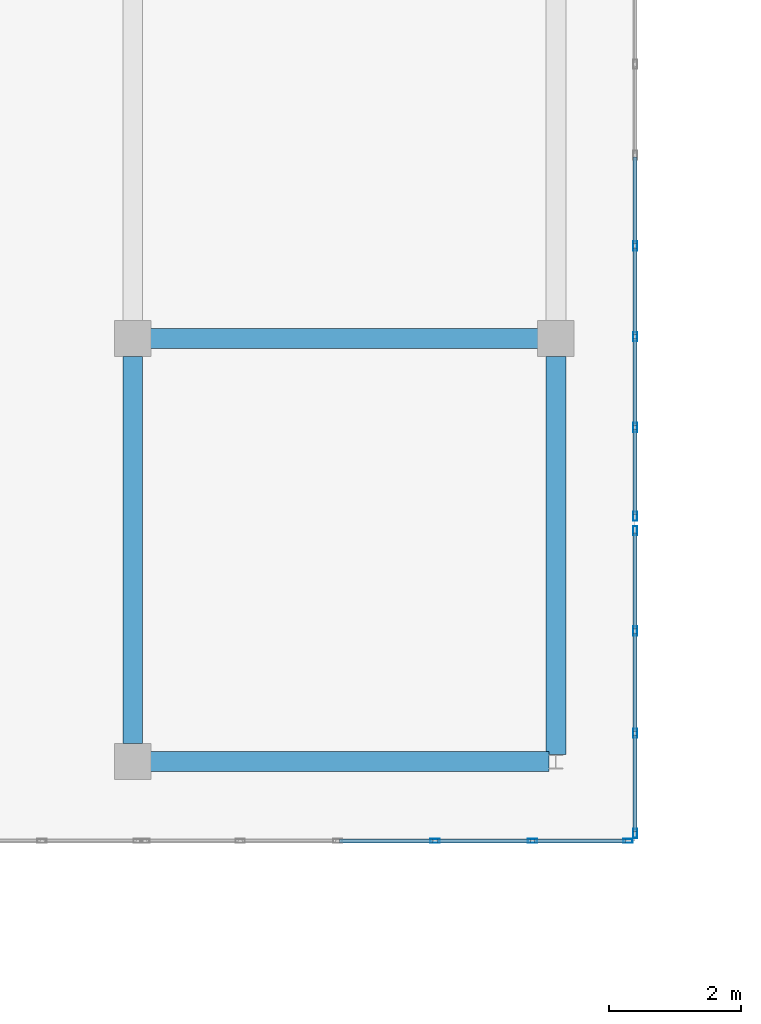
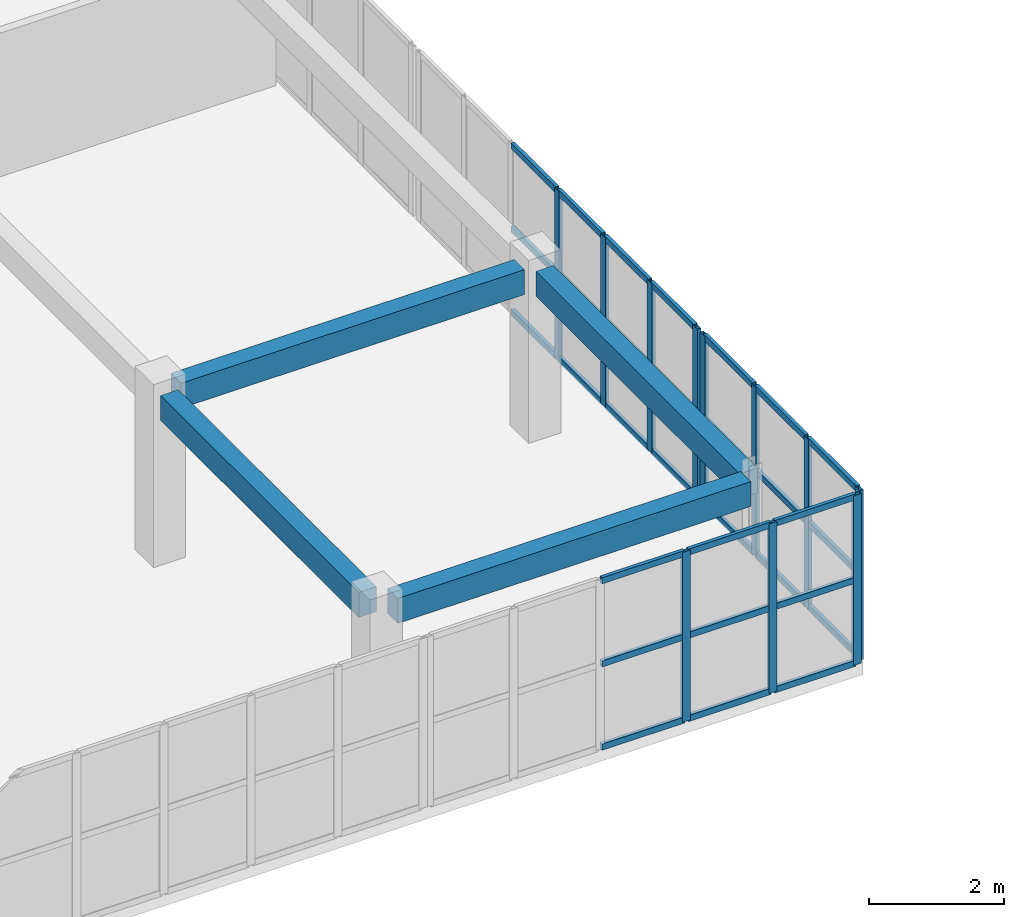
# One storey, part 45 of 148: 41 members, 4 beams, 3 elements without a shape of their own.
"""IFC4 building model written with IfcOpenShell, lengths in metres."""

import ifcopenshell
import ifcopenshell.guid

model = None  # the IFC model being written
_history = None  # IfcOwnerHistory: only IFC2X3 demands one
_inside = {}  # id of a spatial element -> (the spatial element, [elements in it])
_under = {}  # id of a project, library or spatial element -> (it, [spatial elements below it])
_declared = {}  # id of a project -> (the project, [libraries it declares])
_typed = {}  # id of a type object -> (the type object, [elements of that type])
_made_of = {}  # id of a material, layer set ... -> (it, [elements and type objects made of it])


def new_model(schema):
    """Start an empty IFC model of exactly this schema.

    Asked for "IFC4X3", IfcOpenShell would pick the latest addendum, in which some entities
    have other attributes; the version numbers below select the first issue.
    IFC2X3 requires an IfcOwnerHistory on every rooted entity: one is made here for all.
    """
    global model, _history
    if schema == "IFC4X3":
        model = ifcopenshell.file(schema_version=(4, 3, 0, 0))
    else:
        model = ifcopenshell.file(schema=schema)
    _inside.clear()
    _under.clear()
    _declared.clear()
    _typed.clear()
    _made_of.clear()
    _history = None
    if model.schema == "IFC2X3":
        org = make("IfcOrganization", Name="unknown")
        user = make(
            "IfcPersonAndOrganization",
            ThePerson=make("IfcPerson", FamilyName="unknown"),
            TheOrganization=org,
        )
        app = make(
            "IfcApplication",
            ApplicationDeveloper=org,
            Version="unknown",
            ApplicationFullName="unknown",
            ApplicationIdentifier="unknown",
        )
        _history = make(
            "IfcOwnerHistory",
            OwningUser=user,
            OwningApplication=app,
            ChangeAction="ADDED",
            CreationDate=0,
        )
    return model


def make(cls, **values):
    """One entity of the class cls with the attributes given. An attribute that is None is left unset."""
    return model.create_entity(
        cls, **{name: value for name, value in values.items() if value is not None}
    )


def rooted(cls, **values):
    """An entity with a GlobalId (a new one), such as an element, a storey or a relation."""
    return make(cls, GlobalId=ifcopenshell.guid.new(), OwnerHistory=_history, **values)


def si_unit(unit_type, name, prefix=None):
    """IfcSIUnit, for example si_unit("LENGTHUNIT", "METRE", prefix="MILLI")."""
    return make("IfcSIUnit", UnitType=unit_type, Prefix=prefix, Name=name)


def assignment(units):
    """IfcUnitAssignment: the units of a project."""
    return None if units is None else make("IfcUnitAssignment", Units=units)


def point(xyz):
    """IfcCartesianPoint."""
    return None if xyz is None else make("IfcCartesianPoint", Coordinates=xyz)


def direction(xyz):
    """IfcDirection."""
    return None if xyz is None else make("IfcDirection", DirectionRatios=xyz)


def frame(location, z_axis=None, x_axis=None):
    """IfcAxis2Placement3D, a coordinate frame: its origin and axes. An axis left out is left unset."""
    return make(
        "IfcAxis2Placement3D",
        Location=point(location),
        Axis=direction(z_axis),
        RefDirection=direction(x_axis),
    )


def frame_2d(location, x_axis=None):
    """IfcAxis2Placement2D, a coordinate frame in the plane: its origin and x axis."""
    return make(
        "IfcAxis2Placement2D", Location=point(location), RefDirection=direction(x_axis)
    )


def origin():
    """The frame at (0, 0, 0) with its axes left unset."""
    return frame((0.0, 0.0, 0.0))


def origin_2d():
    """The frame at (0, 0) in the plane with its x axis left unset."""
    return frame_2d((0.0, 0.0))


def place(relative_to, where):
    """IfcLocalPlacement: puts the frame where relative to a parent placement (None: the world)."""
    return make(
        "IfcLocalPlacement", PlacementRelTo=relative_to, RelativePlacement=where
    )


def context(
    kind, dimensions, precision=None, world=None, true_north=None, identifier=None
):
    """IfcGeometricRepresentationContext, for example the 3D "Model" context."""
    return make(
        "IfcGeometricRepresentationContext",
        ContextIdentifier=identifier,
        ContextType=kind,
        CoordinateSpaceDimension=dimensions,
        Precision=precision,
        WorldCoordinateSystem=world,
        TrueNorth=true_north,
    )


def subcontext(parent, identifier, kind, view, scale=None):
    """IfcGeometricRepresentationSubContext, for example "Body" below "Model"."""
    return make(
        "IfcGeometricRepresentationSubContext",
        ContextIdentifier=identifier,
        ContextType=kind,
        ParentContext=parent,
        TargetScale=scale,
        TargetView=view,
    )


def project(units=None, contexts=None):
    """IfcProject with its units and contexts."""
    return rooted(
        "IfcProject",
        Name="project",
        RepresentationContexts=contexts,
        UnitsInContext=assignment(units),
    )


def spatial(cls, under=None, at=None, **own):
    """A site, building, storey or space (cls), placed at a placement, below another one or the project."""
    s = rooted(cls, ObjectPlacement=at, **own)
    if under is not None:
        _under.setdefault(under.id(), (under, []))[1].append(s)
    return s


def profile(cls, at=None, kind="AREA", **sizes):
    """A parametric profile (cls). Its sizes go by their IFC names, for example OverallWidth=200.0."""
    return make(cls, ProfileType=kind, Position=at, **sizes)


def rectangle(**sizes):
    """IfcRectangleProfileDef."""
    return profile("IfcRectangleProfileDef", **sizes)


def hollow_rectangle(**sizes):
    """IfcRectangleHollowProfileDef."""
    return profile("IfcRectangleHollowProfileDef", **sizes)


def extrude(swept, where, along, depth):
    """IfcExtrudedAreaSolid: the profile swept, set in the frame where, extruded along a direction by depth."""
    return make(
        "IfcExtrudedAreaSolid",
        SweptArea=swept,
        Position=where,
        ExtrudedDirection=direction(along),
        Depth=depth,
    )


def shape(context_of_items, identifier, shape_type, items):
    """IfcShapeRepresentation: the items that make up one representation, for example the "Body"."""
    return make(
        "IfcShapeRepresentation",
        ContextOfItems=context_of_items,
        RepresentationIdentifier=identifier,
        RepresentationType=shape_type,
        Items=items,
    )


def material(Name=None, Category=None):
    """IfcMaterial."""
    return make("IfcMaterial", Name=Name, Category=Category)


def layer(
    of_material, thickness, ventilated=None, Name=None, Category=None, Priority=None
):
    """IfcMaterialLayer: one layer of a wall or slab, of a material (None: an air gap)."""
    return make(
        "IfcMaterialLayer",
        Material=of_material,
        LayerThickness=thickness,
        IsVentilated=ventilated,
        Name=Name,
        Category=Category,
        Priority=Priority,
    )


def layer_set(layers, Name=None):
    """IfcMaterialLayerSet."""
    return make("IfcMaterialLayerSet", MaterialLayers=layers, LayerSetName=Name)


def material_profile(
    of_material, cross_section, Name=None, Category=None, Priority=None
):
    """IfcMaterialProfile: a cross section and its material."""
    return make(
        "IfcMaterialProfile",
        Name=Name,
        Material=of_material,
        Profile=cross_section,
        Priority=Priority,
        Category=Category,
    )


def profile_set(profiles, Name=None, composite=None):
    """IfcMaterialProfileSet."""
    return make(
        "IfcMaterialProfileSet",
        Name=Name,
        MaterialProfiles=profiles,
        CompositeProfile=composite,
    )


def made_of(thing, what):
    """Note that an element or type object is made of a material, layer set ...; save() writes the relation."""
    if what is not None:
        _made_of.setdefault(what.id(), (what, []))[1].append(thing)
    return thing


def type_object(cls, material=None, **own):
    """A type object (cls), such as IfcWallType, which elements share."""
    return made_of(rooted(cls, **own), material)


def element(
    cls,
    number,
    at=None,
    inside=None,
    cuts=None,
    type_object=None,
    material=None,
    context=None,
    identifier="Body",
    shape_type=None,
    held_by="IfcProductDefinitionShape",
    body=None,
    shapes=None,
    **own,
):
    """One element of the class cls, such as IfcWall. Its Tag is "e" and its number.

    at: its placement. inside: the storey or other place that contains it. cuts: it is an
    opening in that element (IfcRelVoidsElement). A single representation is given by context,
    identifier, shape_type and body (its items); several are given by shapes. held_by: the class
    of the entity that holds the representations. save() writes the other relations.
    """
    e = rooted(cls, Tag="e%d" % number, ObjectPlacement=at, **own)
    if body is not None:
        shapes = [shape(context, identifier, shape_type, body)]
    if shapes is not None:
        e.Representation = make(held_by, Representations=shapes)
    if inside is not None:
        _inside.setdefault(inside.id(), (inside, []))[1].append(e)
    if cuts is not None:
        rooted(
            "IfcRelVoidsElement", RelatingBuildingElement=cuts, RelatedOpeningElement=e
        )
    if type_object is not None:
        _typed.setdefault(type_object.id(), (type_object, []))[1].append(e)
    return made_of(e, material)


def aggregate(whole, parts):
    """IfcRelAggregates: a whole, such as a stair, and the parts it consists of."""
    return rooted("IfcRelAggregates", RelatingObject=whole, RelatedObjects=parts)


def save(model, path):
    """Write the relations noted so far, then the file.

    IfcRelAggregates (storeys below a building ...), IfcRelContainedInSpatialStructure (elements
    in a storey), IfcRelDefinesByType, IfcRelAssociatesMaterial and IfcRelDeclares: one each for
    every whole, place, type object, material and project.
    """
    for whole, parts in _under.values():
        aggregate(whole, parts)
    for where, things in _inside.values():
        rooted(
            "IfcRelContainedInSpatialStructure",
            RelatedElements=things,
            RelatingStructure=where,
        )
    for kind, things in _typed.values():
        rooted("IfcRelDefinesByType", RelatedObjects=things, RelatingType=kind)
    for what, things in _made_of.values():
        rooted("IfcRelAssociatesMaterial", RelatedObjects=things, RelatingMaterial=what)
    for by, libraries in _declared.values():
        rooted("IfcRelDeclares", RelatingContext=by, RelatedDefinitions=libraries)
    model.write(path)


model = new_model("IFC4")

# Units and contexts
model_context = context("Model", 3, precision=1e-05, world=origin(), true_north=direction((0.0, 1.0)))
body_context = subcontext(model_context, "Body", "Model", "MODEL_VIEW")
ifc_project = project(units=[si_unit("LENGTHUNIT", "METRE"), si_unit("AREAUNIT", "SQUARE_METRE"), si_unit("VOLUMEUNIT", "CUBIC_METRE"), si_unit("PLANEANGLEUNIT", "RADIAN"), si_unit("MASSUNIT", "GRAM", prefix="KILO")], contexts=[model_context])

# Site, building, storey
site_placement = place(None, origin())
site = spatial("IfcSite", under=ifc_project, at=site_placement, CompositionType="ELEMENT")
building_placement = place(site_placement, origin())
building = spatial("IfcBuilding", under=site, at=building_placement, Name="Trelvath General Hospital", CompositionType="ELEMENT")
storey_placement = place(building_placement, frame((0.0, 0.0, 12.89990234375)))
storey = spatial("IfcBuildingStorey", under=building, at=storey_placement, Name="L03", CompositionType="ELEMENT", Elevation=12.89990234375)

# Beams
ifc_material_1 = material(Name="Concrete C35/45", Category="concrete")
ifc_material_profile_1 = material_profile(ifc_material_1, rectangle(XDim=0.300048828125, YDim=0.449951171875, at=origin_2d()), Name="RCB300x450")
ifc_profile_set_1 = profile_set([ifc_material_profile_1], Name="Concrete C35/45")
beam_type = type_object("IfcBeamType", Name="Beam RC300x450", PredefinedType="BEAM", material=ifc_profile_set_1)
beam_1_placement = place(storey_placement, frame((107.470947265625, 38.39990234375, 2.835205078125), z_axis=(1.0, 0.0, 0.0), x_axis=(0.0, 1.0, 0.0)))
element("IfcBeam", 1, at=beam_1_placement, inside=storey, type_object=beam_type, Name="Cube Interior Ring Beam CUBE-E-T1 L03", PredefinedType="BEAM", context=body_context, shape_type="SweptSolid", body=[
    extrude(rectangle(XDim=0.300048828125, YDim=0.449951171875, at=origin_2d()), origin(), (0.0, 0.0, 1.0), 6.02294921875),
])
for number, where, z_axis, x_axis, name in (
    (2, (107.470947265625, 44.800048828125, 2.835205078125), (1.0, 0.0, 0.0), (0.0, 1.0, 0.0), "Cube Interior Ring Beam CUBE-E-T1 L03"),
    (3, (107.199951171875, 38.6708984375, 2.835205078125), (0.0, 1.0, 0.0), (-1.0, 0.0, 0.0), "Cube Interior Ring Beam CUBE-E-T1 L03"),
):
    element("IfcBeam", number, at=place(storey_placement, frame(where, z_axis=z_axis, x_axis=x_axis)), inside=storey, type_object=beam_type, Name=name, PredefinedType="BEAM", context=body_context, shape_type="SweptSolid", body=[
        extrude(rectangle(XDim=0.300048828125, YDim=0.449951171875, at=origin_2d()), origin(), (0.0, 0.0, 1.0), 5.858154296875),
    ])
beam_2_placement = place(storey_placement, frame((113.60009765625, 38.506103515625, 2.835205078125), z_axis=(0.0, 1.0, 0.0), x_axis=(-1.0, 0.0, 0.0)))
element("IfcBeam", 4, at=beam_2_placement, inside=storey, type_object=beam_type, Name="Cube Interior Ring Beam CUBE-E-T1 L03", PredefinedType="BEAM", context=body_context, shape_type="SweptSolid", body=[
    extrude(rectangle(XDim=0.300048828125, YDim=0.449951171875, at=origin_2d()), origin(), (0.0, 0.0, 1.0), 6.02294921875),
])

# Curtain wall, members
ifc_material_2 = material(Name="Anodised aluminium and low-E glass", Category="aluminium")
ifc_layer_1 = layer(ifc_material_2, 0.14990234375)
ifc_layer_set_1 = layer_set([ifc_layer_1], Name="Anodised aluminium and low-E glass")
curtain_wall_type_1 = type_object("IfcCurtainWallType", Name="CW CrystalCube 737 306 15", PredefinedType="USERDEFINED", material=ifc_layer_set_1)
curtain_wall_1_placement = place(storey_placement, origin())
curtain_wall_1 = element("IfcCurtainWall", 5, at=curtain_wall_1_placement, inside=storey, type_object=curtain_wall_type_1, Name="Crystal Cube Curtain Wall CUBE-E-T1 S3 L03", ObjectType="Unitised Glazed Curtain Wall", PredefinedType="USERDEFINED")
ifc_material_3 = material(Name="Anodised aluminium", Category="aluminium")
ifc_material_profile_2 = material_profile(ifc_material_3, hollow_rectangle(XDim=0.06005859375, YDim=0.139892578125, WallThickness=0.00390625, at=origin_2d()), Name="RHS60x140x4")
ifc_profile_set_2 = profile_set([ifc_material_profile_2], Name="Anodised aluminium")
member_type_1 = type_object("IfcMemberType", Name="CurtainMullion 60x140", PredefinedType="MULLION", material=ifc_profile_set_2)
member_1_placement = place(storey_placement, frame((114.68994140625, 37.199951171875, 0.0), z_axis=(0.0, 0.0, 1.0), x_axis=(0.0, -1.0, 0.0)))
member_1 = element("IfcMember", 6, at=member_1_placement, type_object=member_type_1, Name="CW-246 mullion 1", PredefinedType="MULLION", context=body_context, shape_type="SweptSolid", body=[
    extrude(hollow_rectangle(XDim=0.06005859375, YDim=0.139892578125, WallThickness=0.00390625, at=origin_2d()), origin(), (0.0, 0.0, 1.0), 3.06005859375),
])
member_2_placement = place(storey_placement, frame((113.24658203125, 37.199951171875, 0.0), z_axis=(0.0, 0.0, 1.0), x_axis=(0.0, -1.0, 0.0)))
member_2 = element("IfcMember", 7, at=member_2_placement, type_object=member_type_1, Name="CW-246 mullion 2", PredefinedType="MULLION", context=body_context, shape_type="SweptSolid", body=[
    extrude(hollow_rectangle(XDim=0.06005859375, YDim=0.139892578125, WallThickness=0.00390625, at=origin_2d()), origin(), (0.0, 0.0, 1.0), 3.06005859375),
])
member_3_placement = place(storey_placement, frame((111.7734375, 37.199951171875, 0.0), z_axis=(0.0, 0.0, 1.0), x_axis=(0.0, -1.0, 0.0)))
member_3 = element("IfcMember", 8, at=member_3_placement, type_object=member_type_1, Name="CW-246 mullion 3", PredefinedType="MULLION", context=body_context, shape_type="SweptSolid", body=[
    extrude(hollow_rectangle(XDim=0.06005859375, YDim=0.139892578125, WallThickness=0.00390625, at=origin_2d()), origin(), (0.0, 0.0, 1.0), 3.06005859375),
])

ifc_material_4 = material(Name="Anodised aluminium and low-E glass", Category="aluminium")
ifc_layer_2 = layer(ifc_material_4, 0.14990234375)
ifc_layer_set_2 = layer_set([ifc_layer_2], Name="Anodised aluminium and low-E glass")
curtain_wall_type_2 = type_object("IfcCurtainWallType", Name="CW CrystalCube 464 306 15", PredefinedType="USERDEFINED", material=ifc_layer_set_2)
curtain_wall_2_placement = place(storey_placement, origin())
curtain_wall_2 = element("IfcCurtainWall", 9, at=curtain_wall_2_placement, inside=storey, type_object=curtain_wall_type_2, Name="Crystal Cube Curtain Wall CUBE-E-T1 E1 L03", ObjectType="Unitised Glazed Curtain Wall", PredefinedType="USERDEFINED")
member_4_placement = place(storey_placement, frame((114.800048828125, 41.889892578125, 0.0), z_axis=(0.0, 0.0, 1.0), x_axis=(1.0, 0.0, 0.0)))
member_4 = element("IfcMember", 10, at=member_4_placement, type_object=member_type_1, Name="CW-250 mullion 1", PredefinedType="MULLION", context=body_context, shape_type="SweptSolid", body=[
    extrude(hollow_rectangle(XDim=0.06005859375, YDim=0.139892578125, WallThickness=0.00390625, at=origin_2d()), origin(), (0.0, 0.0, 1.0), 3.06005859375),
])
member_5_placement = place(storey_placement, frame((114.800048828125, 40.373291015625, 0.0), z_axis=(0.0, 0.0, 1.0), x_axis=(1.0, 0.0, 0.0)))
member_5 = element("IfcMember", 11, at=member_5_placement, type_object=member_type_1, Name="CW-250 mullion 2", PredefinedType="MULLION", context=body_context, shape_type="SweptSolid", body=[
    extrude(hollow_rectangle(XDim=0.06005859375, YDim=0.139892578125, WallThickness=0.00390625, at=origin_2d()), origin(), (0.0, 0.0, 1.0), 3.06005859375),
])
member_6_placement = place(storey_placement, frame((114.800048828125, 38.82666015625, 0.0), z_axis=(0.0, 0.0, 1.0), x_axis=(1.0, 0.0, 0.0)))
member_6 = element("IfcMember", 12, at=member_6_placement, type_object=member_type_1, Name="CW-250 mullion 3", PredefinedType="MULLION", context=body_context, shape_type="SweptSolid", body=[
    extrude(hollow_rectangle(XDim=0.06005859375, YDim=0.139892578125, WallThickness=0.00390625, at=origin_2d()), origin(), (0.0, 0.0, 1.0), 3.06005859375),
])
member_7_placement = place(storey_placement, frame((114.800048828125, 37.31005859375, 0.0), z_axis=(0.0, 0.0, 1.0), x_axis=(1.0, 0.0, 0.0)))
member_7 = element("IfcMember", 13, at=member_7_placement, type_object=member_type_1, Name="CW-250 mullion 4", PredefinedType="MULLION", context=body_context, shape_type="SweptSolid", body=[
    extrude(hollow_rectangle(XDim=0.06005859375, YDim=0.139892578125, WallThickness=0.00390625, at=origin_2d()), origin(), (0.0, 0.0, 1.0), 3.06005859375),
])

ifc_material_5 = material(Name="Anodised aluminium and low-E glass", Category="aluminium")
ifc_layer_3 = layer(ifc_material_5, 0.14990234375)
ifc_layer_set_3 = layer_set([ifc_layer_3], Name="Anodised aluminium and low-E glass")
curtain_wall_type_3 = type_object("IfcCurtainWallType", Name="CW CrystalCube 824 306 15", PredefinedType="USERDEFINED", material=ifc_layer_set_3)
curtain_wall_3_placement = place(storey_placement, origin())
curtain_wall_3 = element("IfcCurtainWall", 14, at=curtain_wall_3_placement, inside=storey, type_object=curtain_wall_type_3, Name="Crystal Cube Curtain Wall CUBE-E-T1 E2 L03", ObjectType="Unitised Glazed Curtain Wall", PredefinedType="USERDEFINED")
member_8_placement = place(storey_placement, frame((114.800048828125, 46.199951171875, 0.0), z_axis=(0.0, 0.0, 1.0), x_axis=(1.0, 0.0, 0.0)))
member_8 = element("IfcMember", 15, at=member_8_placement, type_object=member_type_1, Name="CW-252 mullion 4", PredefinedType="MULLION", context=body_context, shape_type="SweptSolid", body=[
    extrude(hollow_rectangle(XDim=0.06005859375, YDim=0.139892578125, WallThickness=0.00390625, at=origin_2d()), origin(), (0.0, 0.0, 1.0), 3.06005859375),
])
member_9_placement = place(storey_placement, frame((114.800048828125, 44.82666015625, 0.0), z_axis=(0.0, 0.0, 1.0), x_axis=(1.0, 0.0, 0.0)))
member_9 = element("IfcMember", 16, at=member_9_placement, type_object=member_type_1, Name="CW-252 mullion 5", PredefinedType="MULLION", context=body_context, shape_type="SweptSolid", body=[
    extrude(hollow_rectangle(XDim=0.06005859375, YDim=0.139892578125, WallThickness=0.00390625, at=origin_2d()), origin(), (0.0, 0.0, 1.0), 3.06005859375),
])
member_10_placement = place(storey_placement, frame((114.800048828125, 43.453369140625, 0.0), z_axis=(0.0, 0.0, 1.0), x_axis=(1.0, 0.0, 0.0)))
member_10 = element("IfcMember", 17, at=member_10_placement, type_object=member_type_1, Name="CW-252 mullion 6", PredefinedType="MULLION", context=body_context, shape_type="SweptSolid", body=[
    extrude(hollow_rectangle(XDim=0.06005859375, YDim=0.139892578125, WallThickness=0.00390625, at=origin_2d()), origin(), (0.0, 0.0, 1.0), 3.06005859375),
])
member_11_placement = place(storey_placement, frame((114.800048828125, 42.110107421875, 0.0), z_axis=(0.0, 0.0, 1.0), x_axis=(1.0, 0.0, 0.0)))
member_11 = element("IfcMember", 18, at=member_11_placement, type_object=member_type_1, Name="CW-252 mullion 7", PredefinedType="MULLION", context=body_context, shape_type="SweptSolid", body=[
    extrude(hollow_rectangle(XDim=0.06005859375, YDim=0.139892578125, WallThickness=0.00390625, at=origin_2d()), origin(), (0.0, 0.0, 1.0), 3.06005859375),
])

# Member
ifc_material_6 = material(Name="Anodised aluminium", Category="aluminium")
ifc_material_profile_3 = material_profile(ifc_material_6, hollow_rectangle(XDim=0.06005859375, YDim=0.110107421875, WallThickness=0.00390625, at=origin_2d()), Name="RHS60x110x4")
ifc_profile_set_3 = profile_set([ifc_material_profile_3], Name="Anodised aluminium")
member_type_2 = type_object("IfcMemberType", Name="CurtainTransom 60x110", PredefinedType="USERDEFINED", material=ifc_profile_set_3)
member_12_placement = place(storey_placement, frame((114.659912109375, 37.199951171875, 0.030029296875), z_axis=(-1.0, 0.0, 0.0), x_axis=(0.0, -1.0, 0.0)))
member_12 = element("IfcMember", 19, at=member_12_placement, type_object=member_type_2, Name="CW-246 transom 1.1", ObjectType="TRANSOM", PredefinedType="USERDEFINED", context=body_context, shape_type="SweptSolid", body=[
    extrude(hollow_rectangle(XDim=0.06005859375, YDim=0.110107421875, WallThickness=0.00390625, at=origin_2d()), origin(), (0.0, 0.0, 1.0), 1.38330078125),
])

member_13_placement = place(storey_placement, frame((114.659912109375, 37.199951171875, 1.530029296875), z_axis=(-1.0, 0.0, 0.0), x_axis=(0.0, -1.0, 0.0)))
member_13 = element("IfcMember", 20, at=member_13_placement, type_object=member_type_2, Name="CW-246 transom 1.2", ObjectType="TRANSOM", PredefinedType="USERDEFINED", context=body_context, shape_type="SweptSolid", body=[
    extrude(hollow_rectangle(XDim=0.06005859375, YDim=0.110107421875, WallThickness=0.00390625, at=origin_2d()), origin(), (0.0, 0.0, 1.0), 1.38330078125),
])

member_14_placement = place(storey_placement, frame((114.659912109375, 37.199951171875, 3.030029296875), z_axis=(-1.0, 0.0, 0.0), x_axis=(0.0, -1.0, 0.0)))
member_14 = element("IfcMember", 21, at=member_14_placement, type_object=member_type_2, Name="CW-246 transom 1.3", ObjectType="TRANSOM", PredefinedType="USERDEFINED", context=body_context, shape_type="SweptSolid", body=[
    extrude(hollow_rectangle(XDim=0.06005859375, YDim=0.110107421875, WallThickness=0.00390625, at=origin_2d()), origin(), (0.0, 0.0, 1.0), 1.38330078125),
])

member_15_placement = place(storey_placement, frame((113.216552734375, 37.199951171875, 0.030029296875), z_axis=(-1.0, 0.0, 0.0), x_axis=(0.0, -1.0, 0.0)))
member_15 = element("IfcMember", 22, at=member_15_placement, type_object=member_type_2, Name="CW-246 transom 2.1", ObjectType="TRANSOM", PredefinedType="USERDEFINED", context=body_context, shape_type="SweptSolid", body=[
    extrude(hollow_rectangle(XDim=0.06005859375, YDim=0.110107421875, WallThickness=0.00390625, at=origin_2d()), origin(), (0.0, 0.0, 1.0), 1.413330078125),
])

member_16_placement = place(storey_placement, frame((113.216552734375, 37.199951171875, 1.530029296875), z_axis=(-1.0, 0.0, 0.0), x_axis=(0.0, -1.0, 0.0)))
member_16 = element("IfcMember", 23, at=member_16_placement, type_object=member_type_2, Name="CW-246 transom 2.2", ObjectType="TRANSOM", PredefinedType="USERDEFINED", context=body_context, shape_type="SweptSolid", body=[
    extrude(hollow_rectangle(XDim=0.06005859375, YDim=0.110107421875, WallThickness=0.00390625, at=origin_2d()), origin(), (0.0, 0.0, 1.0), 1.413330078125),
])

member_17_placement = place(storey_placement, frame((113.216552734375, 37.199951171875, 3.030029296875), z_axis=(-1.0, 0.0, 0.0), x_axis=(0.0, -1.0, 0.0)))
member_17 = element("IfcMember", 24, at=member_17_placement, type_object=member_type_2, Name="CW-246 transom 2.3", ObjectType="TRANSOM", PredefinedType="USERDEFINED", context=body_context, shape_type="SweptSolid", body=[
    extrude(hollow_rectangle(XDim=0.06005859375, YDim=0.110107421875, WallThickness=0.00390625, at=origin_2d()), origin(), (0.0, 0.0, 1.0), 1.413330078125),
])

member_18_placement = place(storey_placement, frame((111.743408203125, 37.199951171875, 0.030029296875), z_axis=(-1.0, 0.0, 0.0), x_axis=(0.0, -1.0, 0.0)))
member_18 = element("IfcMember", 25, at=member_18_placement, type_object=member_type_2, Name="CW-246 transom 3.1", ObjectType="TRANSOM", PredefinedType="USERDEFINED", context=body_context, shape_type="SweptSolid", body=[
    extrude(hollow_rectangle(XDim=0.06005859375, YDim=0.110107421875, WallThickness=0.00390625, at=origin_2d()), origin(), (0.0, 0.0, 1.0), 1.413330078125),
])

member_19_placement = place(storey_placement, frame((111.743408203125, 37.199951171875, 1.530029296875), z_axis=(-1.0, 0.0, 0.0), x_axis=(0.0, -1.0, 0.0)))
member_19 = element("IfcMember", 26, at=member_19_placement, type_object=member_type_2, Name="CW-246 transom 3.2", ObjectType="TRANSOM", PredefinedType="USERDEFINED", context=body_context, shape_type="SweptSolid", body=[
    extrude(hollow_rectangle(XDim=0.06005859375, YDim=0.110107421875, WallThickness=0.00390625, at=origin_2d()), origin(), (0.0, 0.0, 1.0), 1.413330078125),
])

member_20_placement = place(storey_placement, frame((111.743408203125, 37.199951171875, 3.030029296875), z_axis=(-1.0, 0.0, 0.0), x_axis=(0.0, -1.0, 0.0)))
member_20 = element("IfcMember", 27, at=member_20_placement, type_object=member_type_2, Name="CW-246 transom 3.3", ObjectType="TRANSOM", PredefinedType="USERDEFINED", context=body_context, shape_type="SweptSolid", body=[
    extrude(hollow_rectangle(XDim=0.06005859375, YDim=0.110107421875, WallThickness=0.00390625, at=origin_2d()), origin(), (0.0, 0.0, 1.0), 1.413330078125),
])

aggregate(curtain_wall_1, [member_1, member_2, member_3, member_12, member_13, member_14, member_15, member_16, member_17, member_18, member_19, member_20])

member_21_placement = place(storey_placement, frame((114.800048828125, 41.860107421875, 0.030029296875), z_axis=(0.0, -1.0, 0.0), x_axis=(1.0, 0.0, 0.0)))
member_21 = element("IfcMember", 28, at=member_21_placement, type_object=member_type_2, Name="CW-250 transom 1.1", ObjectType="TRANSOM", PredefinedType="USERDEFINED", context=body_context, shape_type="SweptSolid", body=[
    extrude(hollow_rectangle(XDim=0.06005859375, YDim=0.110107421875, WallThickness=0.00390625, at=origin_2d()), origin(), (0.0, 0.0, 1.0), 1.456787109375),
])

member_22_placement = place(storey_placement, frame((114.800048828125, 41.860107421875, 1.530029296875), z_axis=(0.0, -1.0, 0.0), x_axis=(1.0, 0.0, 0.0)))
member_22 = element("IfcMember", 29, at=member_22_placement, type_object=member_type_2, Name="CW-250 transom 1.2", ObjectType="TRANSOM", PredefinedType="USERDEFINED", context=body_context, shape_type="SweptSolid", body=[
    extrude(hollow_rectangle(XDim=0.06005859375, YDim=0.110107421875, WallThickness=0.00390625, at=origin_2d()), origin(), (0.0, 0.0, 1.0), 1.456787109375),
])

member_23_placement = place(storey_placement, frame((114.800048828125, 41.860107421875, 3.030029296875), z_axis=(0.0, -1.0, 0.0), x_axis=(1.0, 0.0, 0.0)))
member_23 = element("IfcMember", 30, at=member_23_placement, type_object=member_type_2, Name="CW-250 transom 1.3", ObjectType="TRANSOM", PredefinedType="USERDEFINED", context=body_context, shape_type="SweptSolid", body=[
    extrude(hollow_rectangle(XDim=0.06005859375, YDim=0.110107421875, WallThickness=0.00390625, at=origin_2d()), origin(), (0.0, 0.0, 1.0), 1.456787109375),
])

member_24_placement = place(storey_placement, frame((114.800048828125, 40.34326171875, 0.030029296875), z_axis=(0.0, -1.0, 0.0), x_axis=(1.0, 0.0, 0.0)))
member_24 = element("IfcMember", 31, at=member_24_placement, type_object=member_type_2, Name="CW-250 transom 2.1", ObjectType="TRANSOM", PredefinedType="USERDEFINED", context=body_context, shape_type="SweptSolid", body=[
    extrude(hollow_rectangle(XDim=0.06005859375, YDim=0.110107421875, WallThickness=0.00390625, at=origin_2d()), origin(), (0.0, 0.0, 1.0), 1.486572265625),
])

member_25_placement = place(storey_placement, frame((114.800048828125, 40.34326171875, 1.530029296875), z_axis=(0.0, -1.0, 0.0), x_axis=(1.0, 0.0, 0.0)))
member_25 = element("IfcMember", 32, at=member_25_placement, type_object=member_type_2, Name="CW-250 transom 2.2", ObjectType="TRANSOM", PredefinedType="USERDEFINED", context=body_context, shape_type="SweptSolid", body=[
    extrude(hollow_rectangle(XDim=0.06005859375, YDim=0.110107421875, WallThickness=0.00390625, at=origin_2d()), origin(), (0.0, 0.0, 1.0), 1.486572265625),
])

member_26_placement = place(storey_placement, frame((114.800048828125, 40.34326171875, 3.030029296875), z_axis=(0.0, -1.0, 0.0), x_axis=(1.0, 0.0, 0.0)))
member_26 = element("IfcMember", 33, at=member_26_placement, type_object=member_type_2, Name="CW-250 transom 2.3", ObjectType="TRANSOM", PredefinedType="USERDEFINED", context=body_context, shape_type="SweptSolid", body=[
    extrude(hollow_rectangle(XDim=0.06005859375, YDim=0.110107421875, WallThickness=0.00390625, at=origin_2d()), origin(), (0.0, 0.0, 1.0), 1.486572265625),
])

member_27_placement = place(storey_placement, frame((114.800048828125, 38.796630859375, 0.030029296875), z_axis=(0.0, -1.0, 0.0), x_axis=(1.0, 0.0, 0.0)))
member_27 = element("IfcMember", 34, at=member_27_placement, type_object=member_type_2, Name="CW-250 transom 3.1", ObjectType="TRANSOM", PredefinedType="USERDEFINED", context=body_context, shape_type="SweptSolid", body=[
    extrude(hollow_rectangle(XDim=0.06005859375, YDim=0.110107421875, WallThickness=0.00390625, at=origin_2d()), origin(), (0.0, 0.0, 1.0), 1.45654296875),
])

member_28_placement = place(storey_placement, frame((114.800048828125, 38.796630859375, 1.530029296875), z_axis=(0.0, -1.0, 0.0), x_axis=(1.0, 0.0, 0.0)))
member_28 = element("IfcMember", 35, at=member_28_placement, type_object=member_type_2, Name="CW-250 transom 3.2", ObjectType="TRANSOM", PredefinedType="USERDEFINED", context=body_context, shape_type="SweptSolid", body=[
    extrude(hollow_rectangle(XDim=0.06005859375, YDim=0.110107421875, WallThickness=0.00390625, at=origin_2d()), origin(), (0.0, 0.0, 1.0), 1.45654296875),
])

member_29_placement = place(storey_placement, frame((114.800048828125, 38.796630859375, 3.030029296875), z_axis=(0.0, -1.0, 0.0), x_axis=(1.0, 0.0, 0.0)))
member_29 = element("IfcMember", 36, at=member_29_placement, type_object=member_type_2, Name="CW-250 transom 3.3", ObjectType="TRANSOM", PredefinedType="USERDEFINED", context=body_context, shape_type="SweptSolid", body=[
    extrude(hollow_rectangle(XDim=0.06005859375, YDim=0.110107421875, WallThickness=0.00390625, at=origin_2d()), origin(), (0.0, 0.0, 1.0), 1.45654296875),
])

aggregate(curtain_wall_2, [member_4, member_5, member_6, member_7, member_21, member_22, member_23, member_24, member_25, member_26, member_27, member_28, member_29])

member_30_placement = place(storey_placement, frame((114.800048828125, 47.543212890625, 0.030029296875), z_axis=(0.0, -1.0, 0.0), x_axis=(1.0, 0.0, 0.0)))
member_30 = element("IfcMember", 37, at=member_30_placement, type_object=member_type_2, Name="CW-252 transom 3.1", ObjectType="TRANSOM", PredefinedType="USERDEFINED", context=body_context, shape_type="SweptSolid", body=[
    extrude(hollow_rectangle(XDim=0.06005859375, YDim=0.110107421875, WallThickness=0.00390625, at=origin_2d()), origin(), (0.0, 0.0, 1.0), 1.313232421875),
])

member_31_placement = place(storey_placement, frame((114.800048828125, 47.543212890625, 1.530029296875), z_axis=(0.0, -1.0, 0.0), x_axis=(1.0, 0.0, 0.0)))
member_31 = element("IfcMember", 38, at=member_31_placement, type_object=member_type_2, Name="CW-252 transom 3.2", ObjectType="TRANSOM", PredefinedType="USERDEFINED", context=body_context, shape_type="SweptSolid", body=[
    extrude(hollow_rectangle(XDim=0.06005859375, YDim=0.110107421875, WallThickness=0.00390625, at=origin_2d()), origin(), (0.0, 0.0, 1.0), 1.313232421875),
])

member_32_placement = place(storey_placement, frame((114.800048828125, 47.543212890625, 3.030029296875), z_axis=(0.0, -1.0, 0.0), x_axis=(1.0, 0.0, 0.0)))
member_32 = element("IfcMember", 39, at=member_32_placement, type_object=member_type_2, Name="CW-252 transom 3.3", ObjectType="TRANSOM", PredefinedType="USERDEFINED", context=body_context, shape_type="SweptSolid", body=[
    extrude(hollow_rectangle(XDim=0.06005859375, YDim=0.110107421875, WallThickness=0.00390625, at=origin_2d()), origin(), (0.0, 0.0, 1.0), 1.313232421875),
])

member_33_placement = place(storey_placement, frame((114.800048828125, 46.169921875, 0.030029296875), z_axis=(0.0, -1.0, 0.0), x_axis=(1.0, 0.0, 0.0)))
member_33 = element("IfcMember", 40, at=member_33_placement, type_object=member_type_2, Name="CW-252 transom 4.1", ObjectType="TRANSOM", PredefinedType="USERDEFINED", context=body_context, shape_type="SweptSolid", body=[
    extrude(hollow_rectangle(XDim=0.06005859375, YDim=0.110107421875, WallThickness=0.00390625, at=origin_2d()), origin(), (0.0, 0.0, 1.0), 1.313232421875),
])

member_34_placement = place(storey_placement, frame((114.800048828125, 46.169921875, 1.530029296875), z_axis=(0.0, -1.0, 0.0), x_axis=(1.0, 0.0, 0.0)))
member_34 = element("IfcMember", 41, at=member_34_placement, type_object=member_type_2, Name="CW-252 transom 4.2", ObjectType="TRANSOM", PredefinedType="USERDEFINED", context=body_context, shape_type="SweptSolid", body=[
    extrude(hollow_rectangle(XDim=0.06005859375, YDim=0.110107421875, WallThickness=0.00390625, at=origin_2d()), origin(), (0.0, 0.0, 1.0), 1.313232421875),
])

member_35_placement = place(storey_placement, frame((114.800048828125, 46.169921875, 3.030029296875), z_axis=(0.0, -1.0, 0.0), x_axis=(1.0, 0.0, 0.0)))
member_35 = element("IfcMember", 42, at=member_35_placement, type_object=member_type_2, Name="CW-252 transom 4.3", ObjectType="TRANSOM", PredefinedType="USERDEFINED", context=body_context, shape_type="SweptSolid", body=[
    extrude(hollow_rectangle(XDim=0.06005859375, YDim=0.110107421875, WallThickness=0.00390625, at=origin_2d()), origin(), (0.0, 0.0, 1.0), 1.313232421875),
])

member_36_placement = place(storey_placement, frame((114.800048828125, 44.796630859375, 0.030029296875), z_axis=(0.0, -1.0, 0.0), x_axis=(1.0, 0.0, 0.0)))
member_36 = element("IfcMember", 43, at=member_36_placement, type_object=member_type_2, Name="CW-252 transom 5.1", ObjectType="TRANSOM", PredefinedType="USERDEFINED", context=body_context, shape_type="SweptSolid", body=[
    extrude(hollow_rectangle(XDim=0.06005859375, YDim=0.110107421875, WallThickness=0.00390625, at=origin_2d()), origin(), (0.0, 0.0, 1.0), 1.313232421875),
])

member_37_placement = place(storey_placement, frame((114.800048828125, 44.796630859375, 1.530029296875), z_axis=(0.0, -1.0, 0.0), x_axis=(1.0, 0.0, 0.0)))
member_37 = element("IfcMember", 44, at=member_37_placement, type_object=member_type_2, Name="CW-252 transom 5.2", ObjectType="TRANSOM", PredefinedType="USERDEFINED", context=body_context, shape_type="SweptSolid", body=[
    extrude(hollow_rectangle(XDim=0.06005859375, YDim=0.110107421875, WallThickness=0.00390625, at=origin_2d()), origin(), (0.0, 0.0, 1.0), 1.313232421875),
])

member_38_placement = place(storey_placement, frame((114.800048828125, 44.796630859375, 3.030029296875), z_axis=(0.0, -1.0, 0.0), x_axis=(1.0, 0.0, 0.0)))
member_38 = element("IfcMember", 45, at=member_38_placement, type_object=member_type_2, Name="CW-252 transom 5.3", ObjectType="TRANSOM", PredefinedType="USERDEFINED", context=body_context, shape_type="SweptSolid", body=[
    extrude(hollow_rectangle(XDim=0.06005859375, YDim=0.110107421875, WallThickness=0.00390625, at=origin_2d()), origin(), (0.0, 0.0, 1.0), 1.313232421875),
])

member_39_placement = place(storey_placement, frame((114.800048828125, 43.42333984375, 0.030029296875), z_axis=(0.0, -1.0, 0.0), x_axis=(1.0, 0.0, 0.0)))
member_39 = element("IfcMember", 46, at=member_39_placement, type_object=member_type_2, Name="CW-252 transom 6.1", ObjectType="TRANSOM", PredefinedType="USERDEFINED", context=body_context, shape_type="SweptSolid", body=[
    extrude(hollow_rectangle(XDim=0.06005859375, YDim=0.110107421875, WallThickness=0.00390625, at=origin_2d()), origin(), (0.0, 0.0, 1.0), 1.283447265625),
])

member_40_placement = place(storey_placement, frame((114.800048828125, 43.42333984375, 1.530029296875), z_axis=(0.0, -1.0, 0.0), x_axis=(1.0, 0.0, 0.0)))
member_40 = element("IfcMember", 47, at=member_40_placement, type_object=member_type_2, Name="CW-252 transom 6.2", ObjectType="TRANSOM", PredefinedType="USERDEFINED", context=body_context, shape_type="SweptSolid", body=[
    extrude(hollow_rectangle(XDim=0.06005859375, YDim=0.110107421875, WallThickness=0.00390625, at=origin_2d()), origin(), (0.0, 0.0, 1.0), 1.283447265625),
])

member_41_placement = place(storey_placement, frame((114.800048828125, 43.42333984375, 3.030029296875), z_axis=(0.0, -1.0, 0.0), x_axis=(1.0, 0.0, 0.0)))
member_41 = element("IfcMember", 48, at=member_41_placement, type_object=member_type_2, Name="CW-252 transom 6.3", ObjectType="TRANSOM", PredefinedType="USERDEFINED", context=body_context, shape_type="SweptSolid", body=[
    extrude(hollow_rectangle(XDim=0.06005859375, YDim=0.110107421875, WallThickness=0.00390625, at=origin_2d()), origin(), (0.0, 0.0, 1.0), 1.283447265625),
])

aggregate(curtain_wall_3, [member_8, member_9, member_10, member_11, member_30, member_31, member_32, member_33, member_34, member_35, member_36, member_37, member_38, member_39, member_40, member_41])

save(model, "model.ifc")
